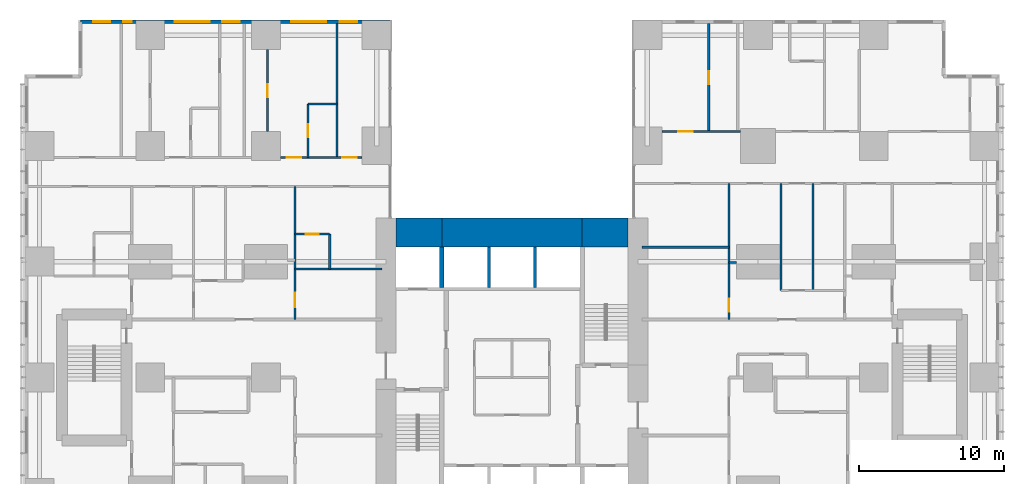
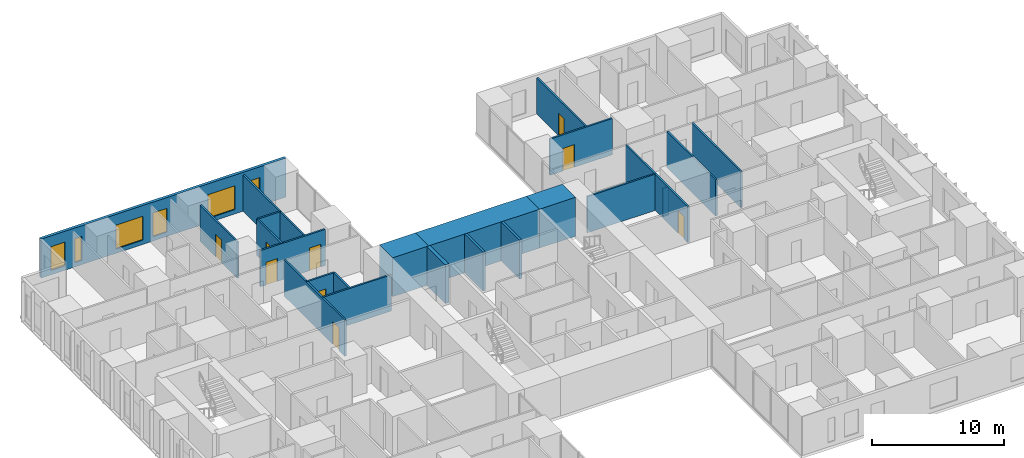
# One storey, part 17 of 20: 23 walls, 9 doors, 6 windows, 15 openings.
"""IFC4 building model written with IfcOpenShell, lengths in metres."""

from ifc_helpers import new_model, si_unit, direction, frame, frame_2d, origin, place, context, subcontext, project, spatial, rectangle, extrude, material, layer, layer_set, type_object, element, fill, save


model = new_model("IFC4")

# Units and contexts
model_context = context("Model", 3, precision=1e-05, world=origin(), true_north=direction((0.0, 1.0)))
body_context = subcontext(model_context, "Body", "Model", "MODEL_VIEW")
ifc_project = project(units=[si_unit("LENGTHUNIT", "METRE"), si_unit("AREAUNIT", "SQUARE_METRE"), si_unit("VOLUMEUNIT", "CUBIC_METRE"), si_unit("PLANEANGLEUNIT", "RADIAN"), si_unit("MASSUNIT", "GRAM", prefix="KILO")], contexts=[model_context])

# Site, building, storey
site_placement = place(None, origin())
site = spatial("IfcSite", under=ifc_project, at=site_placement, CompositionType="ELEMENT")
building_placement = place(site_placement, origin())
building = spatial("IfcBuilding", under=site, at=building_placement, Name="Cleftline Residences", CompositionType="ELEMENT")
storey_placement = place(building_placement, frame((0.0, 0.0, 107.0)))
storey = spatial("IfcBuildingStorey", under=building, at=storey_placement, Name="L27", CompositionType="ELEMENT", Elevation=107.0)

# Walls
ifc_material_1 = material(Name="Concrete B70", Category="concrete")
ifc_layer_1 = layer(ifc_material_1, 2.0)
ifc_layer_set_1 = layer_set([ifc_layer_1], Name="CORE WALL 2000")
wall_type_1 = type_object("IfcWallType", Name="CORE WALL 2000", PredefinedType="SHEAR", material=ifc_layer_set_1)
wall_1_placement = place(storey_placement, frame((25.0, 34.0, 0.0), z_axis=(0.0, 0.0, 1.0), x_axis=(1.0, 0.0, 0.0)))
element("IfcWall", 1, at=wall_1_placement, inside=storey, type_object=wall_type_1, Name="Core wall N1", PredefinedType="SHEAR", context=body_context, shape_type="SweptSolid", body=[
    extrude(rectangle(XDim=3.14990234375, YDim=2.0, at=frame_2d((1.574951171875, 0.0))), origin(), (0.0, 0.0, 1.0), 3.60009765625),
])
wall_2_placement = place(storey_placement, frame((28.14990234375, 34.0, 0.0), z_axis=(0.0, 0.0, 1.0), x_axis=(1.0, 0.0, 0.0)))
element("IfcWall", 2, at=wall_2_placement, inside=storey, type_object=wall_type_1, Name="Core wall N2", PredefinedType="SHEAR", context=body_context, shape_type="SweptSolid", body=[
    extrude(rectangle(XDim=9.7001953125, YDim=2.0, at=frame_2d((4.85009765625, 0.0))), origin(), (0.0, 0.0, 1.0), 3.60009765625),
])
wall_3_placement = place(storey_placement, frame((37.85009765625, 34.0, 0.0), z_axis=(0.0, 0.0, 1.0), x_axis=(1.0, 0.0, 0.0)))
element("IfcWall", 3, at=wall_3_placement, inside=storey, type_object=wall_type_1, Name="Core wall N3", PredefinedType="SHEAR", context=body_context, shape_type="SweptSolid", body=[
    extrude(rectangle(XDim=3.14990234375, YDim=2.0, at=frame_2d((1.574951171875, 0.0))), origin(), (0.0, 0.0, 1.0), 3.60009765625),
])
ifc_material_2 = material(Name="Concrete B70", Category="concrete")
ifc_layer_2 = layer(ifc_material_2, 0.300048828125)
ifc_layer_set_2 = layer_set([ifc_layer_2], Name="CORE WALL 300")
wall_type_2 = type_object("IfcWallType", Name="CORE WALL 300", PredefinedType="SHEAR", material=ifc_layer_set_2)
wall_4_placement = place(storey_placement, frame((28.14990234375, 30.199951171875, 0.0), z_axis=(0.0, 0.0, 1.0), x_axis=(0.0, 1.0, 0.0)))
element("IfcWall", 4, at=wall_4_placement, inside=storey, type_object=wall_type_2, Name="Lift shaft wall", PredefinedType="SHEAR", context=body_context, shape_type="SweptSolid", body=[
    extrude(rectangle(XDim=2.800048828125, YDim=0.300048828125, at=frame_2d((1.39990234375, 0.0))), origin(), (0.0, 0.0, 1.0), 3.60009765625),
])

# Wall, openings, windows
ifc_material_3 = material(Name="Rendered reinforced concrete blockwork", Category="masonry")
ifc_layer_3 = layer(ifc_material_3, 0.25)
ifc_layer_set_3 = layer_set([ifc_layer_3], Name="EXTERNAL WALL 250")
wall_type_3 = type_object("IfcWallType", Name="EXTERNAL WALL 250", PredefinedType="SOLIDWALL", material=ifc_layer_set_3)
wall_5_placement = place(storey_placement, frame((24.574951171875, 48.574951171875, 0.0), z_axis=(0.0, 0.0, 1.0), x_axis=(-1.0, 0.0, 0.0)))
wall_5 = element("IfcWall", 5, at=wall_5_placement, inside=storey, type_object=wall_type_3, Name="External wall", PredefinedType="SOLIDWALL", context=body_context, shape_type="SweptSolid", body=[
    extrude(rectangle(XDim=21.39990234375, YDim=0.25, at=frame_2d((10.699951171875, 0.0))), origin(), (0.0, 0.0, 1.0), 3.60009765625),
])
opening_1_placement = place(wall_5_placement, frame((2.27490234375, 0.0, 0.39990234375)))
opening_1 = element("IfcOpeningElement", 6, at=opening_1_placement, cuts=wall_5, Name="Opening W11", PredefinedType="OPENING", context=body_context, shape_type="SweptSolid", body=[
    extrude(rectangle(XDim=1.199951171875, YDim=2.199951171875, at=frame_2d((0.60009765625, 1.10009765625))), frame((0.0, 0.135009765625, 0.0), z_axis=(0.0, -1.0, 0.0), x_axis=(1.0, 0.0, 0.0)), (0.0, 0.0, 1.0), 0.27001953125),
])
opening_2_placement = place(wall_5_placement, frame((4.425048828125, 0.0, 0.39990234375)))
opening_2 = element("IfcOpeningElement", 7, at=opening_2_placement, cuts=wall_5, Name="Opening W12", PredefinedType="OPENING", context=body_context, shape_type="SweptSolid", body=[
    extrude(rectangle(XDim=2.39990234375, YDim=2.199951171875, at=frame_2d((1.199951171875, 1.10009765625))), frame((0.0, 0.135009765625, 0.0), z_axis=(0.0, -1.0, 0.0), x_axis=(1.0, 0.0, 0.0)), (0.0, 0.0, 1.0), 0.27001953125),
])
opening_3_placement = place(wall_5_placement, frame((10.39990234375, 0.0, 0.39990234375)))
opening_3 = element("IfcOpeningElement", 8, at=opening_3_placement, cuts=wall_5, Name="Opening W11", PredefinedType="OPENING", context=body_context, shape_type="SweptSolid", body=[
    extrude(rectangle(XDim=1.199951171875, YDim=2.199951171875, at=frame_2d((0.60009765625, 1.10009765625))), frame((0.0, 0.135009765625, 0.0), z_axis=(0.0, -1.0, 0.0), x_axis=(1.0, 0.0, 0.0)), (0.0, 0.0, 1.0), 0.27001953125),
])
opening_4_placement = place(wall_5_placement, frame((12.47509765625, 0.0, 0.39990234375)))
opening_4 = element("IfcOpeningElement", 9, at=opening_4_placement, cuts=wall_5, Name="Opening W12", PredefinedType="OPENING", context=body_context, shape_type="SweptSolid", body=[
    extrude(rectangle(XDim=2.39990234375, YDim=2.199951171875, at=frame_2d((1.199951171875, 1.10009765625))), frame((0.0, 0.135009765625, 0.0), z_axis=(0.0, -1.0, 0.0), x_axis=(1.0, 0.0, 0.0)), (0.0, 0.0, 1.0), 0.27001953125),
])
opening_5_placement = place(wall_5_placement, frame((17.85009765625, 0.0, 0.39990234375)))
opening_5 = element("IfcOpeningElement", 10, at=opening_5_placement, cuts=wall_5, Name="Opening W10", PredefinedType="OPENING", context=body_context, shape_type="SweptSolid", body=[
    extrude(rectangle(XDim=0.60009765625, YDim=2.199951171875, at=frame_2d((0.300048828125, 1.10009765625))), frame((0.0, 0.135009765625, 0.0), z_axis=(0.0, -1.0, 0.0), x_axis=(1.0, 0.0, 0.0)), (0.0, 0.0, 1.0), 0.27001953125),
])
opening_6_placement = place(wall_5_placement, frame((19.324951171875, 0.0, 0.39990234375)))
opening_6 = element("IfcOpeningElement", 11, at=opening_6_placement, cuts=wall_5, Name="Opening W11", PredefinedType="OPENING", context=body_context, shape_type="SweptSolid", body=[
    extrude(rectangle(XDim=1.199951171875, YDim=2.199951171875, at=frame_2d((0.60009765625, 1.10009765625))), frame((0.0, 0.135009765625, 0.0), z_axis=(0.0, -1.0, 0.0), x_axis=(1.0, 0.0, 0.0)), (0.0, 0.0, 1.0), 0.27001953125),
])
ifc_material_4 = material(Name="Aluminium frame, clear double glazing", Category="aluminium")
window_type_1 = type_object("IfcWindowType", Name="WINDOW 1200X2200", PartitioningType="DOUBLE_PANEL_VERTICAL", PredefinedType="WINDOW", material=ifc_material_4)
window_1_placement = place(opening_1_placement, origin())
window_1 = element("IfcWindow", 12, at=window_1_placement, inside=storey, type_object=window_type_1, Name="Window", OverallHeight=2.199951171875, OverallWidth=1.199951171875, PartitioningType="SINGLE_PANEL", PredefinedType="WINDOW", context=body_context, shape_type="SweptSolid", body=[
    extrude(rectangle(XDim=1.199951171875, YDim=2.199951171875, at=frame_2d((0.60009765625, 1.10009765625))), frame((0.0, 0.030029296875, 0.0), z_axis=(0.0, -1.0, 0.0), x_axis=(1.0, 0.0, 0.0)), (0.0, 0.0, 1.0), 0.06005859375),
])
fill(opening_1, window_1)
window_2_placement = place(opening_3_placement, origin())
window_2 = element("IfcWindow", 13, at=window_2_placement, inside=storey, type_object=window_type_1, Name="Window", OverallHeight=2.199951171875, OverallWidth=1.199951171875, PartitioningType="SINGLE_PANEL", PredefinedType="WINDOW", context=body_context, shape_type="SweptSolid", body=[
    extrude(rectangle(XDim=1.199951171875, YDim=2.199951171875, at=frame_2d((0.60009765625, 1.10009765625))), frame((0.0, 0.030029296875, 0.0), z_axis=(0.0, -1.0, 0.0), x_axis=(1.0, 0.0, 0.0)), (0.0, 0.0, 1.0), 0.06005859375),
])
fill(opening_3, window_2)
window_3_placement = place(opening_6_placement, origin())
window_3 = element("IfcWindow", 14, at=window_3_placement, inside=storey, type_object=window_type_1, Name="Window", OverallHeight=2.199951171875, OverallWidth=1.199951171875, PartitioningType="SINGLE_PANEL", PredefinedType="WINDOW", context=body_context, shape_type="SweptSolid", body=[
    extrude(rectangle(XDim=1.199951171875, YDim=2.199951171875, at=frame_2d((0.60009765625, 1.10009765625))), frame((0.0, 0.030029296875, 0.0), z_axis=(0.0, -1.0, 0.0), x_axis=(1.0, 0.0, 0.0)), (0.0, 0.0, 1.0), 0.06005859375),
])
fill(opening_6, window_3)
ifc_material_5 = material(Name="Aluminium frame, clear double glazing", Category="aluminium")
window_type_2 = type_object("IfcWindowType", Name="WINDOW 2400X2200", PartitioningType="DOUBLE_PANEL_VERTICAL", PredefinedType="WINDOW", material=ifc_material_5)
window_4_placement = place(opening_2_placement, origin())
window_4 = element("IfcWindow", 15, at=window_4_placement, inside=storey, type_object=window_type_2, Name="Window", OverallHeight=2.199951171875, OverallWidth=2.39990234375, PartitioningType="SINGLE_PANEL", PredefinedType="WINDOW", context=body_context, shape_type="SweptSolid", body=[
    extrude(rectangle(XDim=2.39990234375, YDim=2.199951171875, at=frame_2d((1.199951171875, 1.10009765625))), frame((0.0, 0.030029296875, 0.0), z_axis=(0.0, -1.0, 0.0), x_axis=(1.0, 0.0, 0.0)), (0.0, 0.0, 1.0), 0.06005859375),
])
fill(opening_2, window_4)
window_5_placement = place(opening_4_placement, origin())
window_5 = element("IfcWindow", 16, at=window_5_placement, inside=storey, type_object=window_type_2, Name="Window", OverallHeight=2.199951171875, OverallWidth=2.39990234375, PartitioningType="SINGLE_PANEL", PredefinedType="WINDOW", context=body_context, shape_type="SweptSolid", body=[
    extrude(rectangle(XDim=2.39990234375, YDim=2.199951171875, at=frame_2d((1.199951171875, 1.10009765625))), frame((0.0, 0.030029296875, 0.0), z_axis=(0.0, -1.0, 0.0), x_axis=(1.0, 0.0, 0.0)), (0.0, 0.0, 1.0), 0.06005859375),
])
fill(opening_4, window_5)
ifc_material_6 = material(Name="Aluminium frame, clear double glazing", Category="aluminium")
window_type_3 = type_object("IfcWindowType", Name="WINDOW 600X2200", PartitioningType="DOUBLE_PANEL_VERTICAL", PredefinedType="WINDOW", material=ifc_material_6)
window_6_placement = place(opening_5_placement, origin())
window_6 = element("IfcWindow", 17, at=window_6_placement, inside=storey, type_object=window_type_3, Name="Window", OverallHeight=2.199951171875, OverallWidth=0.60009765625, PartitioningType="SINGLE_PANEL", PredefinedType="WINDOW", context=body_context, shape_type="SweptSolid", body=[
    extrude(rectangle(XDim=0.60009765625, YDim=2.199951171875, at=frame_2d((0.300048828125, 1.10009765625))), frame((0.0, 0.030029296875, 0.0), z_axis=(0.0, -1.0, 0.0), x_axis=(1.0, 0.0, 0.0)), (0.0, 0.0, 1.0), 0.06005859375),
])
fill(opening_5, window_6)

# Walls
ifc_material_7 = material(Name="Gypsum board on steel studs", Category="steel")
ifc_layer_4 = layer(ifc_material_7, 0.14990234375)
ifc_layer_set_4 = layer_set([ifc_layer_4], Name="PARTITION 150")
wall_type_4 = type_object("IfcWallType", Name="PARTITION 150", PredefinedType="PARTITIONING", material=ifc_layer_set_4)
wall_6_placement = place(storey_placement, frame((18.0, 31.5, 0.0), z_axis=(0.0, 0.0, 1.0), x_axis=(1.0, 0.0, 0.0)))
element("IfcWall", 18, at=wall_6_placement, inside=storey, type_object=wall_type_4, Name="Partition", PredefinedType="PARTITIONING", context=body_context, shape_type="SweptSolid", body=[
    extrude(rectangle(XDim=6.0, YDim=0.14990234375, at=frame_2d((3.0, 0.0))), origin(), (0.0, 0.0, 1.0), 3.35009765625),
])
wall_7_placement = place(storey_placement, frame((48.0, 31.949951171875, 0.0), z_axis=(0.0, 0.0, 1.0), x_axis=(1.0, 0.0, 0.0)))
element("IfcWall", 19, at=wall_7_placement, inside=storey, type_object=wall_type_4, Name="Partition", PredefinedType="PARTITIONING", context=body_context, shape_type="SweptSolid", body=[
    extrude(rectangle(XDim=0.5, YDim=0.14990234375, at=frame_2d((0.25, 0.0))), origin(), (0.0, 0.0, 1.0), 2.634033203125),
])
wall_8_placement = place(storey_placement, frame((42.0, 33.0, 0.0), z_axis=(0.0, 0.0, 1.0), x_axis=(1.0, 0.0, 0.0)))
element("IfcWall", 20, at=wall_8_placement, inside=storey, type_object=wall_type_4, Name="Partition", PredefinedType="PARTITIONING", context=body_context, shape_type="SweptSolid", body=[
    extrude(rectangle(XDim=6.0, YDim=0.14990234375, at=frame_2d((3.0, 0.0))), origin(), (0.0, 0.0, 1.0), 3.35009765625),
])

# Wall, opening, door
wall_9_placement = place(storey_placement, frame((18.0, 33.89990234375, 0.0), z_axis=(0.0, 0.0, 1.0), x_axis=(1.0, 0.0, 0.0)))
wall_9 = element("IfcWall", 21, at=wall_9_placement, inside=storey, type_object=wall_type_4, Name="Partition", PredefinedType="PARTITIONING", context=body_context, shape_type="SweptSolid", body=[
    extrude(rectangle(XDim=2.39990234375, YDim=0.14990234375, at=frame_2d((1.199951171875, 0.0))), origin(), (0.0, 0.0, 1.0), 3.35009765625),
])
opening_7_placement = place(wall_9_placement, frame((0.75, 0.0, 0.0)))
opening_7 = element("IfcOpeningElement", 22, at=opening_7_placement, cuts=wall_9, Name="Opening D1", PredefinedType="OPENING", context=body_context, shape_type="SweptSolid", body=[
    extrude(rectangle(XDim=0.89990234375, YDim=2.10009765625, at=frame_2d((0.449951171875, 1.050048828125))), frame((0.0, 0.0849609375, 0.0), z_axis=(0.0, -1.0, 0.0), x_axis=(1.0, 0.0, 0.0)), (0.0, 0.0, 1.0), 0.169921875),
])
ifc_material_8 = material(Name="Timber veneer on solid core", Category="wood")
door_type_1 = type_object("IfcDoorType", Name="DOOR 900X2100", OperationType="SINGLE_SWING_LEFT", PredefinedType="DOOR", material=ifc_material_8)
door_1_placement = place(opening_7_placement, origin())
door_1 = element("IfcDoor", 23, at=door_1_placement, inside=storey, type_object=door_type_1, Name="Door to staff shower room", OperationType="SINGLE_SWING_LEFT", OverallHeight=2.10009765625, OverallWidth=0.89990234375, PredefinedType="DOOR", context=body_context, shape_type="SweptSolid", body=[
    extrude(rectangle(XDim=0.89990234375, YDim=2.10009765625, at=frame_2d((0.449951171875, 1.050048828125))), frame((0.0, 0.02490234375, 0.0), z_axis=(0.0, -1.0, 0.0), x_axis=(1.0, 0.0, 0.0)), (0.0, 0.0, 1.0), 0.050048828125),
])
fill(opening_7, door_1)

# Wall, openings, doors
wall_10_placement = place(storey_placement, frame((17.0, 39.199951171875, 0.0), z_axis=(0.0, 0.0, 1.0), x_axis=(1.0, 0.0, 0.0)))
wall_10 = element("IfcWall", 24, at=wall_10_placement, inside=storey, type_object=wall_type_4, Name="Partition", PredefinedType="PARTITIONING", context=body_context, shape_type="SweptSolid", body=[
    extrude(rectangle(XDim=5.64990234375, YDim=0.14990234375, at=frame_2d((2.824951171875, 0.0))), origin(), (0.0, 0.0, 1.0), 3.35009765625),
])
opening_8_placement = place(wall_10_placement, frame((0.449951171875, 0.0, 0.0)))
opening_8 = element("IfcOpeningElement", 25, at=opening_8_placement, cuts=wall_10, Name="Opening D2", PredefinedType="OPENING", context=body_context, shape_type="SweptSolid", body=[
    extrude(rectangle(XDim=1.0, YDim=2.10009765625, at=frame_2d((0.5, 1.050048828125))), frame((0.0, 0.0849609375, 0.0), z_axis=(0.0, -1.0, 0.0), x_axis=(1.0, 0.0, 0.0)), (0.0, 0.0, 1.0), 0.169921875),
])
opening_9_placement = place(wall_10_placement, frame((4.27490234375, 0.0, 0.0)))
opening_9 = element("IfcOpeningElement", 26, at=opening_9_placement, cuts=wall_10, Name="Opening D2", PredefinedType="OPENING", context=body_context, shape_type="SweptSolid", body=[
    extrude(rectangle(XDim=1.0, YDim=2.10009765625, at=frame_2d((0.5, 1.050048828125))), frame((0.0, 0.0849609375, 0.0), z_axis=(0.0, -1.0, 0.0), x_axis=(1.0, 0.0, 0.0)), (0.0, 0.0, 1.0), 0.169921875),
])
ifc_material_9 = material(Name="Timber veneer on solid core", Category="wood")
door_type_2 = type_object("IfcDoorType", Name="DOOR 1000X2100", OperationType="SINGLE_SWING_LEFT", PredefinedType="DOOR", material=ifc_material_9)
door_2_placement = place(opening_8_placement, origin())
door_2 = element("IfcDoor", 27, at=door_2_placement, inside=storey, type_object=door_type_2, Name="Door to bedroom 3", OperationType="SINGLE_SWING_RIGHT", OverallHeight=2.10009765625, OverallWidth=1.0, PredefinedType="DOOR", context=body_context, shape_type="SweptSolid", body=[
    extrude(rectangle(XDim=1.0, YDim=2.10009765625, at=frame_2d((0.5, 1.050048828125))), frame((0.0, 0.02490234375, 0.0), z_axis=(0.0, -1.0, 0.0), x_axis=(1.0, 0.0, 0.0)), (0.0, 0.0, 1.0), 0.050048828125),
])
fill(opening_8, door_2)
door_3_placement = place(opening_9_placement, origin())
door_3 = element("IfcDoor", 28, at=door_3_placement, inside=storey, type_object=door_type_2, Name="Door to bedroom 3 sitting room", OperationType="SINGLE_SWING_LEFT", OverallHeight=2.10009765625, OverallWidth=1.0, PredefinedType="DOOR", context=body_context, shape_type="SweptSolid", body=[
    extrude(rectangle(XDim=1.0, YDim=2.10009765625, at=frame_2d((0.5, 1.050048828125))), frame((0.0, 0.02490234375, 0.0), z_axis=(0.0, -1.0, 0.0), x_axis=(1.0, 0.0, 0.0)), (0.0, 0.0, 1.0), 0.050048828125),
])
fill(opening_9, door_3)

# Wall, opening, door
wall_11_placement = place(storey_placement, frame((43.35009765625, 41.0, 0.0), z_axis=(0.0, 0.0, 1.0), x_axis=(1.0, 0.0, 0.0)))
wall_11 = element("IfcWall", 29, at=wall_11_placement, inside=storey, type_object=wall_type_4, Name="Partition", PredefinedType="PARTITIONING", context=body_context, shape_type="SweptSolid", body=[
    extrude(rectangle(XDim=5.449951171875, YDim=0.14990234375, at=frame_2d((2.72509765625, 0.0))), origin(), (0.0, 0.0, 1.0), 3.35009765625),
])
opening_10_placement = place(wall_11_placement, frame((1.125, 0.0, 0.0)))
opening_10 = element("IfcOpeningElement", 30, at=opening_10_placement, cuts=wall_11, Name="Opening D2", PredefinedType="OPENING", context=body_context, shape_type="SweptSolid", body=[
    extrude(rectangle(XDim=1.0, YDim=2.10009765625, at=frame_2d((0.5, 1.050048828125))), frame((0.0, 0.0849609375, 0.0), z_axis=(0.0, -1.0, 0.0), x_axis=(1.0, 0.0, 0.0)), (0.0, 0.0, 1.0), 0.169921875),
])
door_4_placement = place(opening_10_placement, origin())
door_4 = element("IfcDoor", 31, at=door_4_placement, inside=storey, type_object=door_type_2, Name="Door to bedroom 3", OperationType="SINGLE_SWING_RIGHT", OverallHeight=2.10009765625, OverallWidth=1.0, PredefinedType="DOOR", context=body_context, shape_type="SweptSolid", body=[
    extrude(rectangle(XDim=1.0, YDim=2.10009765625, at=frame_2d((0.5, 1.050048828125))), frame((0.0, 0.02490234375, 0.0), z_axis=(0.0, -1.0, 0.0), x_axis=(1.0, 0.0, 0.0)), (0.0, 0.0, 1.0), 0.050048828125),
])
fill(opening_10, door_4)

# Wall
wall_12_placement = place(storey_placement, frame((18.89990234375, 42.89990234375, 0.0), z_axis=(0.0, 0.0, 1.0), x_axis=(1.0, 0.0, 0.0)))
element("IfcWall", 32, at=wall_12_placement, inside=storey, type_object=wall_type_4, Name="Partition", PredefinedType="PARTITIONING", context=body_context, shape_type="SweptSolid", body=[
    extrude(rectangle(XDim=2.0, YDim=0.14990234375, at=frame_2d((1.0, 0.0))), origin(), (0.0, 0.0, 1.0), 3.35009765625),
])

# Wall, opening, door
wall_13_placement = place(storey_placement, frame((16.10009765625, 41.0, 0.0), z_axis=(0.0, 0.0, 1.0), x_axis=(0.0, 1.0, 0.0)))
wall_13 = element("IfcWall", 33, at=wall_13_placement, inside=storey, type_object=wall_type_4, Name="Partition", PredefinedType="PARTITIONING", context=body_context, shape_type="SweptSolid", body=[
    extrude(rectangle(XDim=5.64990234375, YDim=0.14990234375, at=frame_2d((2.824951171875, 0.0))), origin(), (0.0, 0.0, 1.0), 3.35009765625),
])
opening_11_placement = place(wall_13_placement, frame((2.375, 0.0, 0.0)))
opening_11 = element("IfcOpeningElement", 34, at=opening_11_placement, cuts=wall_13, Name="Opening D1", PredefinedType="OPENING", context=body_context, shape_type="SweptSolid", body=[
    extrude(rectangle(XDim=0.89990234375, YDim=2.10009765625, at=frame_2d((0.449951171875, 1.050048828125))), frame((0.0, 0.0849609375, 0.0), z_axis=(0.0, -1.0, 0.0), x_axis=(1.0, 0.0, 0.0)), (0.0, 0.0, 1.0), 0.169921875),
])
door_5_placement = place(opening_11_placement, origin())
door_5 = element("IfcDoor", 35, at=door_5_placement, inside=storey, type_object=door_type_1, Name="Door to walk-in wardrobe", OperationType="SINGLE_SWING_LEFT", OverallHeight=2.10009765625, OverallWidth=0.89990234375, PredefinedType="DOOR", context=body_context, shape_type="SweptSolid", body=[
    extrude(rectangle(XDim=0.89990234375, YDim=2.10009765625, at=frame_2d((0.449951171875, 1.050048828125))), frame((0.0, 0.02490234375, 0.0), z_axis=(0.0, -1.0, 0.0), x_axis=(1.0, 0.0, 0.0)), (0.0, 0.0, 1.0), 0.050048828125),
])
fill(opening_11, door_5)

wall_14_placement = place(storey_placement, frame((18.0, 28.0, 0.0), z_axis=(0.0, 0.0, 1.0), x_axis=(0.0, 1.0, 0.0)))
wall_14 = element("IfcWall", 36, at=wall_14_placement, inside=storey, type_object=wall_type_4, Name="Partition", PredefinedType="PARTITIONING", context=body_context, shape_type="SweptSolid", body=[
    extrude(rectangle(XDim=9.199951171875, YDim=0.14990234375, at=frame_2d((4.60009765625, 0.0))), origin(), (0.0, 0.0, 1.0), 3.35009765625),
])
opening_12_placement = place(wall_14_placement, frame((0.83740234375, 0.0, 0.0)))
opening_12 = element("IfcOpeningElement", 37, at=opening_12_placement, cuts=wall_14, Name="Opening D2", PredefinedType="OPENING", context=body_context, shape_type="SweptSolid", body=[
    extrude(rectangle(XDim=1.0, YDim=2.10009765625, at=frame_2d((0.5, 1.050048828125))), frame((0.0, 0.0849609375, 0.0), z_axis=(0.0, -1.0, 0.0), x_axis=(1.0, 0.0, 0.0)), (0.0, 0.0, 1.0), 0.169921875),
])
door_6_placement = place(opening_12_placement, origin())
door_6 = element("IfcDoor", 38, at=door_6_placement, inside=storey, type_object=door_type_2, Name="Door to morning kitchen", OperationType="SINGLE_SWING_RIGHT", OverallHeight=2.10009765625, OverallWidth=1.0, PredefinedType="DOOR", context=body_context, shape_type="SweptSolid", body=[
    extrude(rectangle(XDim=1.0, YDim=2.10009765625, at=frame_2d((0.5, 1.050048828125))), frame((0.0, 0.02490234375, 0.0), z_axis=(0.0, -1.0, 0.0), x_axis=(1.0, 0.0, 0.0)), (0.0, 0.0, 1.0), 0.050048828125),
])
fill(opening_12, door_6)

wall_15_placement = place(storey_placement, frame((18.89990234375, 39.199951171875, 0.0), z_axis=(0.0, 0.0, 1.0), x_axis=(0.0, 1.0, 0.0)))
wall_15 = element("IfcWall", 39, at=wall_15_placement, inside=storey, type_object=wall_type_4, Name="Partition", PredefinedType="PARTITIONING", context=body_context, shape_type="SweptSolid", body=[
    extrude(rectangle(XDim=3.699951171875, YDim=0.14990234375, at=frame_2d((1.85009765625, 0.0))), origin(), (0.0, 0.0, 1.0), 3.35009765625),
])
opening_13_placement = place(wall_15_placement, frame((1.39990234375, 0.0, 0.0)))
opening_13 = element("IfcOpeningElement", 40, at=opening_13_placement, cuts=wall_15, Name="Opening D1", PredefinedType="OPENING", context=body_context, shape_type="SweptSolid", body=[
    extrude(rectangle(XDim=0.89990234375, YDim=2.10009765625, at=frame_2d((0.449951171875, 1.050048828125))), frame((0.0, 0.0849609375, 0.0), z_axis=(0.0, -1.0, 0.0), x_axis=(1.0, 0.0, 0.0)), (0.0, 0.0, 1.0), 0.169921875),
])
door_7_placement = place(opening_13_placement, origin())
door_7 = element("IfcDoor", 41, at=door_7_placement, inside=storey, type_object=door_type_1, Name="Door to en-suite bathroom 3", OperationType="SINGLE_SWING_LEFT", OverallHeight=2.10009765625, OverallWidth=0.89990234375, PredefinedType="DOOR", context=body_context, shape_type="SweptSolid", body=[
    extrude(rectangle(XDim=0.89990234375, YDim=2.10009765625, at=frame_2d((0.449951171875, 1.050048828125))), frame((0.0, 0.02490234375, 0.0), z_axis=(0.0, -1.0, 0.0), x_axis=(1.0, 0.0, 0.0)), (0.0, 0.0, 1.0), 0.050048828125),
])
fill(opening_13, door_7)

# Walls
wall_16_placement = place(storey_placement, frame((20.39990234375, 31.5, 0.0), z_axis=(0.0, 0.0, 1.0), x_axis=(0.0, 1.0, 0.0)))
element("IfcWall", 42, at=wall_16_placement, inside=storey, type_object=wall_type_4, Name="Partition", PredefinedType="PARTITIONING", context=body_context, shape_type="SweptSolid", body=[
    extrude(rectangle(XDim=2.39990234375, YDim=0.14990234375, at=frame_2d((1.199951171875, 0.0))), origin(), (0.0, 0.0, 1.0), 3.35009765625),
])
wall_17_placement = place(storey_placement, frame((20.89990234375, 39.199951171875, 0.0), z_axis=(0.0, 0.0, 1.0), x_axis=(0.0, 1.0, 0.0)))
element("IfcWall", 43, at=wall_17_placement, inside=storey, type_object=wall_type_4, Name="Partition", PredefinedType="PARTITIONING", context=body_context, shape_type="SweptSolid", body=[
    extrude(rectangle(XDim=9.25, YDim=0.14990234375, at=frame_2d((4.625, 0.0))), origin(), (0.0, 0.0, 1.0), 3.35009765625),
])

# Wall, opening, door
wall_18_placement = place(storey_placement, frame((46.60009765625, 41.0, 0.0), z_axis=(0.0, 0.0, 1.0), x_axis=(0.0, 1.0, 0.0)))
wall_18 = element("IfcWall", 44, at=wall_18_placement, inside=storey, type_object=wall_type_4, Name="Partition", PredefinedType="PARTITIONING", context=body_context, shape_type="SweptSolid", body=[
    extrude(rectangle(XDim=7.449951171875, YDim=0.14990234375, at=frame_2d((3.72509765625, 0.0))), origin(), (0.0, 0.0, 1.0), 3.35009765625),
])
opening_14_placement = place(wall_18_placement, frame((3.27490234375, 0.0, 0.0)))
opening_14 = element("IfcOpeningElement", 45, at=opening_14_placement, cuts=wall_18, Name="Opening D1", PredefinedType="OPENING", context=body_context, shape_type="SweptSolid", body=[
    extrude(rectangle(XDim=0.89990234375, YDim=2.10009765625, at=frame_2d((0.449951171875, 1.050048828125))), frame((0.0, 0.0849609375, 0.0), z_axis=(0.0, -1.0, 0.0), x_axis=(1.0, 0.0, 0.0)), (0.0, 0.0, 1.0), 0.169921875),
])
door_8_placement = place(opening_14_placement, origin())
door_8 = element("IfcDoor", 46, at=door_8_placement, inside=storey, type_object=door_type_1, Name="Door to en-suite bathroom 3", OperationType="SINGLE_SWING_LEFT", OverallHeight=2.10009765625, OverallWidth=0.89990234375, PredefinedType="DOOR", context=body_context, shape_type="SweptSolid", body=[
    extrude(rectangle(XDim=0.89990234375, YDim=2.10009765625, at=frame_2d((0.449951171875, 1.050048828125))), frame((0.0, 0.02490234375, 0.0), z_axis=(0.0, -1.0, 0.0), x_axis=(1.0, 0.0, 0.0)), (0.0, 0.0, 1.0), 0.050048828125),
])
fill(opening_14, door_8)

wall_19_placement = place(storey_placement, frame((48.0, 28.0, 0.0), z_axis=(0.0, 0.0, 1.0), x_axis=(0.0, 1.0, 0.0)))
wall_19 = element("IfcWall", 47, at=wall_19_placement, inside=storey, type_object=wall_type_4, Name="Partition", PredefinedType="PARTITIONING", context=body_context, shape_type="SweptSolid", body=[
    extrude(rectangle(XDim=9.39990234375, YDim=0.14990234375, at=frame_2d((4.699951171875, 0.0))), origin(), (0.0, 0.0, 1.0), 3.35009765625),
])
opening_15_placement = place(wall_19_placement, frame((0.550048828125, 0.0, 0.0)))
opening_15 = element("IfcOpeningElement", 48, at=opening_15_placement, cuts=wall_19, Name="Opening D1", PredefinedType="OPENING", context=body_context, shape_type="SweptSolid", body=[
    extrude(rectangle(XDim=0.89990234375, YDim=2.10009765625, at=frame_2d((0.449951171875, 1.050048828125))), frame((0.0, 0.0849609375, 0.0), z_axis=(0.0, -1.0, 0.0), x_axis=(1.0, 0.0, 0.0)), (0.0, 0.0, 1.0), 0.169921875),
])
door_9_placement = place(opening_15_placement, origin())
door_9 = element("IfcDoor", 49, at=door_9_placement, inside=storey, type_object=door_type_1, Name="Door to laundry", OperationType="SINGLE_SWING_RIGHT", OverallHeight=2.10009765625, OverallWidth=0.89990234375, PredefinedType="DOOR", context=body_context, shape_type="SweptSolid", body=[
    extrude(rectangle(XDim=0.89990234375, YDim=2.10009765625, at=frame_2d((0.449951171875, 1.050048828125))), frame((0.0, 0.02490234375, 0.0), z_axis=(0.0, -1.0, 0.0), x_axis=(1.0, 0.0, 0.0)), (0.0, 0.0, 1.0), 0.050048828125),
])
fill(opening_15, door_9)

# Walls
for number, where, z_axis, x_axis, name in (
    (50, (51.60009765625, 30.0, 0.0), (0.0, 0.0, 1.0), (0.0, 1.0, 0.0), "Partition"),
    (51, (53.800048828125, 30.0, 0.0), (0.0, 0.0, 1.0), (0.0, 1.0, 0.0), "Partition"),
):
    element("IfcWall", number, at=place(storey_placement, frame(where, z_axis=z_axis, x_axis=x_axis)), inside=storey, type_object=wall_type_4, Name=name, PredefinedType="PARTITIONING", context=body_context, shape_type="SweptSolid", body=[
        extrude(rectangle(XDim=7.39990234375, YDim=0.14990234375, at=frame_2d((3.699951171875, 0.0))), origin(), (0.0, 0.0, 1.0), 3.35009765625),
    ])
ifc_material_10 = material(Name="Concrete blockwork, fire rated", Category="masonry")
ifc_layer_5 = layer(ifc_material_10, 0.199951171875)
ifc_layer_set_5 = layer_set([ifc_layer_5], Name="SHAFT WALL 200")
wall_type_5 = type_object("IfcWallType", Name="SHAFT WALL 200", PredefinedType="PARTITIONING", material=ifc_layer_set_5)
for number, where, z_axis, x_axis, name in (
    (52, (31.39990234375, 30.199951171875, 0.0), (0.0, 0.0, 1.0), (0.0, 1.0, 0.0), "Lift shaft wall"),
    (53, (34.60009765625, 30.199951171875, 0.0), (0.0, 0.0, 1.0), (0.0, 1.0, 0.0), "Lift shaft wall"),
):
    element("IfcWall", number, at=place(storey_placement, frame(where, z_axis=z_axis, x_axis=x_axis)), inside=storey, type_object=wall_type_5, Name=name, PredefinedType="PARTITIONING", context=body_context, shape_type="SweptSolid", body=[
        extrude(rectangle(XDim=2.800048828125, YDim=0.199951171875, at=frame_2d((1.39990234375, 0.0))), origin(), (0.0, 0.0, 1.0), 3.60009765625),
    ])

save(model, "model.ifc")
